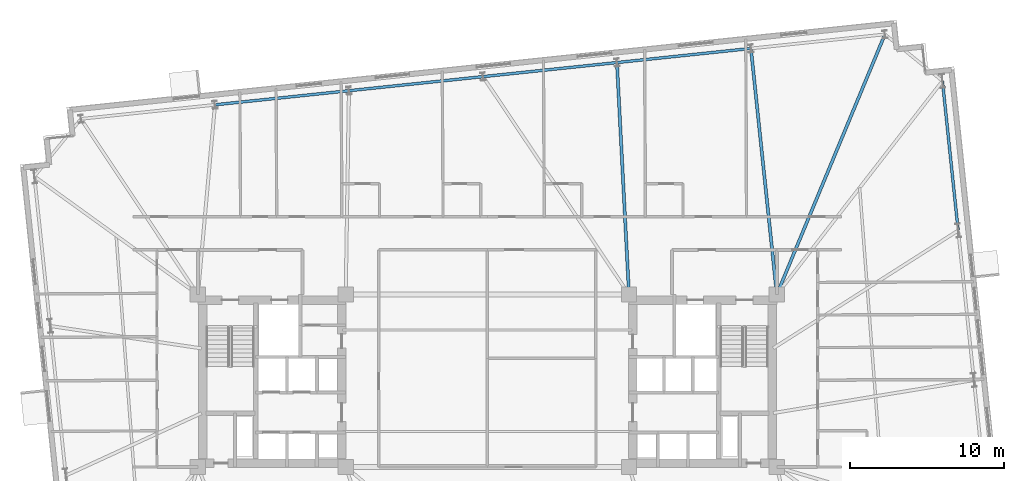
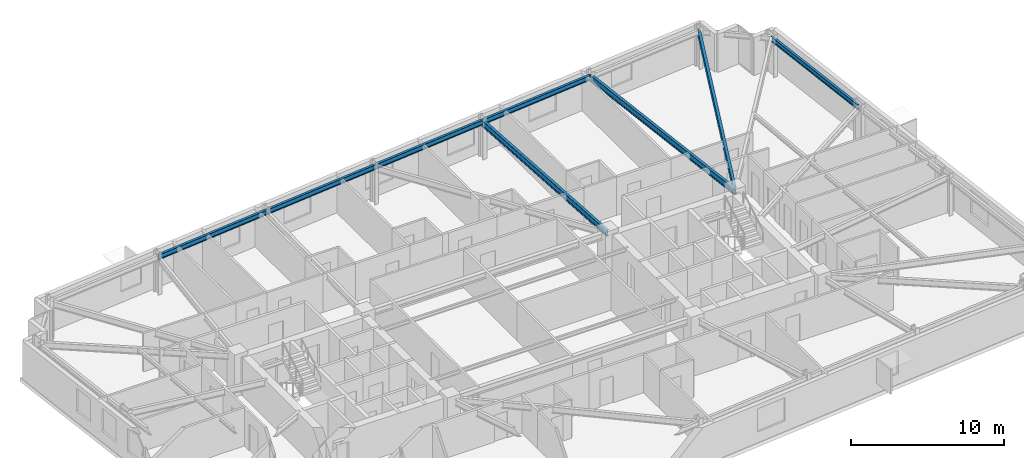
# One storey, part 9 of 19: 8 beams.
"""IFC4 building model written with IfcOpenShell, lengths in metres."""

from ifc_helpers import new_model, si_unit, direction, frame, origin, origin_2d, place, context, subcontext, project, spatial, i_section, extrude, material, material_profile, profile_set, type_object, element, save


model = new_model("IFC4")

# Units and contexts
model_context = context("Model", 3, precision=1e-05, world=origin(), true_north=direction((0.0, 1.0)))
body_context = subcontext(model_context, "Body", "Model", "MODEL_VIEW")
ifc_project = project(units=[si_unit("LENGTHUNIT", "METRE"), si_unit("AREAUNIT", "SQUARE_METRE"), si_unit("VOLUMEUNIT", "CUBIC_METRE"), si_unit("PLANEANGLEUNIT", "RADIAN"), si_unit("MASSUNIT", "GRAM", prefix="KILO")], contexts=[model_context])

# Site, building, storey
site_placement = place(None, origin())
site = spatial("IfcSite", under=ifc_project, at=site_placement, CompositionType="ELEMENT")
building_placement = place(site_placement, origin())
building = spatial("IfcBuilding", under=site, at=building_placement, Name="Qobustan Lattice House", CompositionType="ELEMENT")
storey_placement = place(building_placement, frame((0.0, 0.0, 85.699951171875)))
storey = spatial("IfcBuildingStorey", under=building, at=storey_placement, Name="L23", CompositionType="ELEMENT", Elevation=85.699951171875)

# Beams
ifc_material_1 = material(Name="Steel S355", Category="steel")
ifc_material_profile_1 = material_profile(ifc_material_1, i_section(OverallWidth=0.199951171875, OverallDepth=0.5, WebThickness=0.01025390625, FlangeThickness=0.01611328125, FilletRadius=0.02099609375, at=origin_2d()), Name="IPE500")
ifc_profile_set_1 = profile_set([ifc_material_profile_1], Name="Steel S355")
beam_type_1 = type_object("IfcBeamType", Name="BM-FLG-IPE500", PredefinedType="USERDEFINED", material=ifc_profile_set_1)
beam_1_placement = place(storey_placement, frame((8.41650390625, 20.640625, 2.795166015625), z_axis=(0.052023629628, -0.998645854125, 0.0), x_axis=(0.998645854125, 0.052023629628, 0.0)))
element("IfcBeam", 1, at=beam_1_placement, inside=storey, type_object=beam_type_1, Name="L23 primary floor girder RAD-N3", ObjectType="GIRDER", PredefinedType="USERDEFINED", context=body_context, shape_type="SweptSolid", body=[
    extrude(i_section(OverallWidth=0.199951171875, OverallDepth=0.5, WebThickness=0.01025390625, FlangeThickness=0.01611328125, FilletRadius=0.02099609375, at=origin_2d()), origin(), (0.0, 0.0, 1.0), 15.035888671875),
])
beam_2_placement = place(storey_placement, frame((17.1201171875, 21.555419921875, 2.795166015625), z_axis=(0.104706999053, -0.994503114298, 0.0), x_axis=(0.994503114298, 0.104706999053, 0.0)))
element("IfcBeam", 2, at=beam_2_placement, inside=storey, type_object=beam_type_1, Name="L23 primary floor girder RAD-N2", ObjectType="GIRDER", PredefinedType="USERDEFINED", context=body_context, shape_type="SweptSolid", body=[
    extrude(i_section(OverallWidth=0.199951171875, OverallDepth=0.5, WebThickness=0.01025390625, FlangeThickness=0.01611328125, FilletRadius=0.02099609375, at=origin_2d()), origin(), (0.0, 0.0, 1.0), 16.0185546875),
])
beam_3_placement = place(storey_placement, frame((25.809814453125, 22.471923828125, 2.795166015625), z_axis=(-0.383675501465, -0.923467979724, 0.0), x_axis=(0.923467979724, -0.383675501465, 0.0)))
element("IfcBeam", 3, at=beam_3_placement, inside=storey, type_object=beam_type_1, Name="L23 primary floor girder RAD-N1E", ObjectType="GIRDER", PredefinedType="USERDEFINED", context=body_context, shape_type="SweptSolid", body=[
    extrude(i_section(OverallWidth=0.199951171875, OverallDepth=0.5, WebThickness=0.01025390625, FlangeThickness=0.01611328125, FilletRadius=0.02099609375, at=origin_2d()), origin(), (0.0, 0.0, 1.0), 18.2451171875),
])
ifc_material_2 = material(Name="Steel S355", Category="steel")
ifc_material_profile_2 = material_profile(ifc_material_2, i_section(OverallWidth=0.179931640625, OverallDepth=0.39990234375, WebThickness=0.008544921875, FlangeThickness=0.013427734375, FilletRadius=0.02099609375, at=origin_2d()), Name="IPE400")
ifc_profile_set_2 = profile_set([ifc_material_profile_2], Name="Steel S355")
beam_type_2 = type_object("IfcBeamType", Name="BM-SPD-IPE400", PredefinedType="SPANDREL", material=ifc_profile_set_2)
beam_4_placement = place(storey_placement, frame((30.574462890625, 9.78076171875, 2.844970703125), z_axis=(-0.104525214252, 0.994522236848, 0.0), x_axis=(-0.994522236848, -0.104525214252, 0.0)))
element("IfcBeam", 4, at=beam_4_placement, inside=storey, type_object=beam_type_2, Name="L23 perimeter spandrel E3-E4", PredefinedType="SPANDREL", context=body_context, shape_type="SweptSolid", body=[
    extrude(i_section(OverallWidth=0.179931640625, OverallDepth=0.39990234375, WebThickness=0.008544921875, FlangeThickness=0.013427734375, FilletRadius=0.02099609375, at=origin_2d()), origin(), (0.0, 0.0, 1.0), 9.716552734375),
])
beam_5_placement = place(storey_placement, frame((17.092529296875, 21.577880859375, 2.844970703125), z_axis=(-0.994518668742, -0.104559158006, 0.0), x_axis=(0.104559158006, -0.994518668742, 0.0)))
element("IfcBeam", 5, at=beam_5_placement, inside=storey, type_object=beam_type_2, Name="L23 perimeter spandrel N2-N3", PredefinedType="SPANDREL", context=body_context, shape_type="SweptSolid", body=[
    extrude(i_section(OverallWidth=0.179931640625, OverallDepth=0.39990234375, WebThickness=0.008544921875, FlangeThickness=0.013427734375, FilletRadius=0.02099609375, at=origin_2d()), origin(), (0.0, 0.0, 1.0), 8.699951171875),
])
beam_6_placement = place(storey_placement, frame((8.390380859375, 20.6630859375, 2.844970703125), z_axis=(-0.994521279781, -0.10453432002, 0.0), x_axis=(0.10453432002, -0.994521279781, 0.0)))
element("IfcBeam", 6, at=beam_6_placement, inside=storey, type_object=beam_type_2, Name="L23 perimeter spandrel N3-N4", PredefinedType="SPANDREL", context=body_context, shape_type="SweptSolid", body=[
    extrude(i_section(OverallWidth=0.179931640625, OverallDepth=0.39990234375, WebThickness=0.008544921875, FlangeThickness=0.013427734375, FilletRadius=0.02099609375, at=origin_2d()), origin(), (0.0, 0.0, 1.0), 8.69970703125),
])
for number, where, z_axis, x_axis, name in (
    (7, (-0.3115234375, 19.74853515625, 2.844970703125), (-0.994521586424, -0.104531402636, 0.0), (0.104531402636, -0.994521586424, 0.0), "L23 perimeter spandrel N4-N5"),
    (8, (-9.013671875, 18.833984375, 2.844970703125), (-0.994521586424, -0.104531402636, 0.0), (0.104531402636, -0.994521586424, 0.0), "L23 perimeter spandrel N5-N6"),
):
    element("IfcBeam", number, at=place(storey_placement, frame(where, z_axis=z_axis, x_axis=x_axis)), inside=storey, type_object=beam_type_2, Name=name, PredefinedType="SPANDREL", context=body_context, shape_type="SweptSolid", body=[
        extrude(i_section(OverallWidth=0.179931640625, OverallDepth=0.39990234375, WebThickness=0.008544921875, FlangeThickness=0.013427734375, FilletRadius=0.02099609375, at=origin_2d()), origin(), (0.0, 0.0, 1.0), 8.699951171875),
    ])

save(model, "model.ifc")
